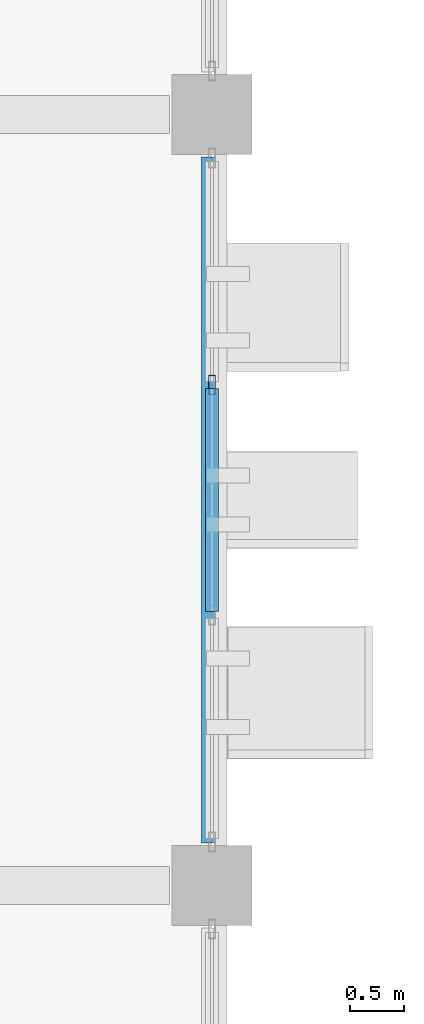
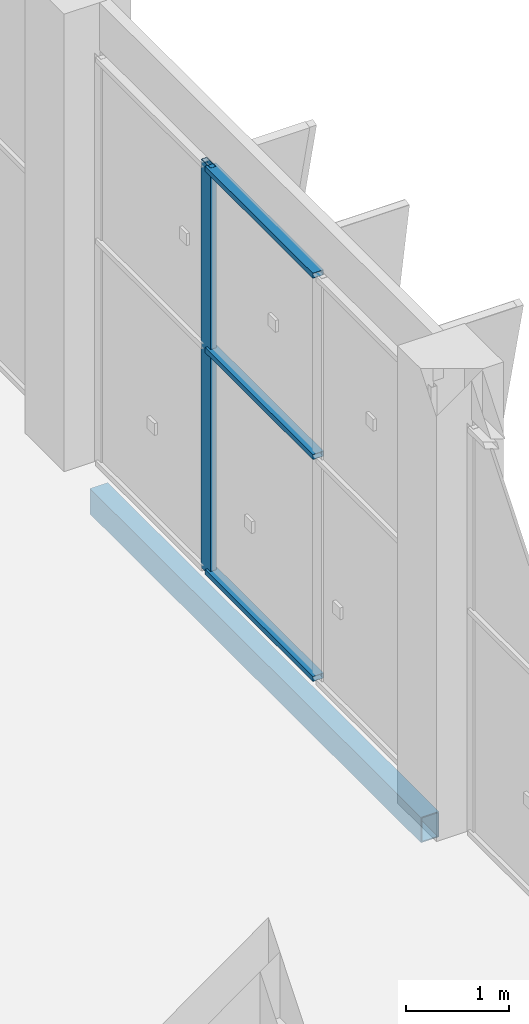
# One storey, part 58 of 189: 4 members, 1 beam, 1 element without a shape of its own.
"""IFC4 building model written with IfcOpenShell, lengths in metres."""

from ifc_helpers import new_model, si_unit, direction, frame, origin, origin_2d, place, context, subcontext, project, spatial, hollow_rectangle, extrude, material, layer, layer_set, material_profile, profile_set, type_object, element, aggregate, save


model = new_model("IFC4")

# Units and contexts
model_context = context("Model", 3, precision=1e-05, world=origin(), true_north=direction((0.0, 1.0)))
body_context = subcontext(model_context, "Body", "Model", "MODEL_VIEW")
ifc_project = project(units=[si_unit("LENGTHUNIT", "METRE"), si_unit("AREAUNIT", "SQUARE_METRE"), si_unit("VOLUMEUNIT", "CUBIC_METRE"), si_unit("PLANEANGLEUNIT", "RADIAN"), si_unit("MASSUNIT", "GRAM", prefix="KILO")], contexts=[model_context])

# Site, building, storey
site_placement = place(None, origin())
site = spatial("IfcSite", under=ifc_project, at=site_placement, CompositionType="ELEMENT")
building_placement = place(site_placement, origin())
building = spatial("IfcBuilding", under=site, at=building_placement, Name="Celestram Park Convention Centre", CompositionType="ELEMENT")
storey_placement = place(building_placement, frame((0.0, 0.0, 5.39990234375)))
storey = spatial("IfcBuildingStorey", under=building, at=storey_placement, Name="L01", CompositionType="ELEMENT", Elevation=5.39990234375)

# Curtain wall, members
ifc_material_1 = material(Name="Anodised Aluminium Alloy 6063-T6", Category="aluminium")
ifc_layer = layer(ifc_material_1, 0.179931640625)
ifc_layer_set = layer_set([ifc_layer], Name="Anodised Aluminium Alloy 6063-T6")
curtain_wall_type = type_object("IfcCurtainWallType", Name="ARC-CW-645X482", PredefinedType="NOTDEFINED", material=ifc_layer_set)
curtain_wall_placement = place(storey_placement, origin())
curtain_wall = element("IfcCurtainWall", 1, at=curtain_wall_placement, inside=storey, type_object=curtain_wall_type, Name="Unitised curtain wall CU-L01-094", PredefinedType="NOTDEFINED")
ifc_material_profile_1 = material_profile(ifc_material_1, hollow_rectangle(XDim=0.06494140625, YDim=0.179931640625, WallThickness=0.00390625, at=origin_2d()), Name="ALU65X180X4")
ifc_profile_set_1 = profile_set([ifc_material_profile_1], Name="Anodised Aluminium Alloy 6063-T6")
member_type_1 = type_object("IfcMemberType", Name="ARC-CWM-150", PredefinedType="MULLION", material=ifc_profile_set_1)
member_1_placement = place(storey_placement, frame((144.0, 62.275634765625, 0.0), z_axis=(0.0, 0.0, 1.0), x_axis=(1.0, 0.0, 0.0)))
member_1 = element("IfcMember", 2, at=member_1_placement, type_object=member_type_1, Name="CW-64X48 mullion 2", PredefinedType="MULLION", context=body_context, shape_type="SweptSolid", body=[
    extrude(hollow_rectangle(XDim=0.06494140625, YDim=0.179931640625, WallThickness=0.00390625, at=origin_2d()), origin(), (0.0, 0.0, 1.0), 4.820068359375),
])
ifc_material_profile_2 = material_profile(ifc_material_1, hollow_rectangle(XDim=0.1201171875, YDim=0.06005859375, WallThickness=0.0029296875, at=origin_2d()), Name="ALU120X60X3")
ifc_profile_set_2 = profile_set([ifc_material_profile_2], Name="Anodised Aluminium Alloy 6063-T6")
member_type_2 = type_object("IfcMemberType", Name="ARC-CWT-120", PredefinedType="USERDEFINED", material=ifc_profile_set_2)
member_2_placement = place(storey_placement, frame((144.0, 62.2431640625, 0.030029296875), z_axis=(0.0, -1.0, 0.0), x_axis=(1.0, 0.0, 0.0)))
member_2 = element("IfcMember", 3, at=member_2_placement, type_object=member_type_2, Name="CW-64X48 transom 2.1", ObjectType="TRANSOM", PredefinedType="USERDEFINED", context=body_context, shape_type="SweptSolid", body=[
    extrude(hollow_rectangle(XDim=0.1201171875, YDim=0.06005859375, WallThickness=0.0029296875, at=origin_2d()), origin(), (0.0, 0.0, 1.0), 2.08642578125),
])
member_3_placement = place(storey_placement, frame((144.0, 62.2431640625, 2.650146484375), z_axis=(0.0, -1.0, 0.0), x_axis=(1.0, 0.0, 0.0)))
member_3 = element("IfcMember", 4, at=member_3_placement, type_object=member_type_2, Name="CW-64X48 transom 2.2", ObjectType="TRANSOM", PredefinedType="USERDEFINED", context=body_context, shape_type="SweptSolid", body=[
    extrude(hollow_rectangle(XDim=0.1201171875, YDim=0.06005859375, WallThickness=0.0029296875, at=origin_2d()), origin(), (0.0, 0.0, 1.0), 2.08642578125),
])
member_4_placement = place(storey_placement, frame((144.0, 62.2431640625, 4.7900390625), z_axis=(0.0, -1.0, 0.0), x_axis=(1.0, 0.0, 0.0)))
member_4 = element("IfcMember", 5, at=member_4_placement, type_object=member_type_2, Name="CW-64X48 transom 2.3", ObjectType="TRANSOM", PredefinedType="USERDEFINED", context=body_context, shape_type="SweptSolid", body=[
    extrude(hollow_rectangle(XDim=0.1201171875, YDim=0.06005859375, WallThickness=0.0029296875, at=origin_2d()), origin(), (0.0, 0.0, 1.0), 2.08642578125),
])
aggregate(curtain_wall, [member_1, member_2, member_3, member_4])

# Beam
ifc_material_2 = material(Name="Steel ASTM A500 Grade C", Category="steel")
ifc_material_profile_3 = material_profile(ifc_material_2, hollow_rectangle(XDim=0.199951171875, YDim=0.300048828125, WallThickness=0.011962890625, at=origin_2d()), Name="HSS300X200X12")
ifc_profile_set_3 = profile_set([ifc_material_profile_3], Name="Steel ASTM A500 Grade C")
beam_type = type_object("IfcBeamType", Name="STR-SPN-HSS300X200", PredefinedType="SPANDREL", material=ifc_profile_set_3)
beam_placement = place(storey_placement, frame((144.0, 57.998046875, -0.429931640625), z_axis=(0.0, 1.0, 0.0), x_axis=(-1.0, 0.0, 0.0)))
element("IfcBeam", 6, at=beam_placement, inside=storey, type_object=beam_type, Name="Primary Y-girder BG-L01-0338", PredefinedType="SPANDREL", context=body_context, shape_type="SweptSolid", body=[
    extrude(hollow_rectangle(XDim=0.199951171875, YDim=0.300048828125, WallThickness=0.011962890625, at=origin_2d()), origin(), (0.0, 0.0, 1.0), 6.404052734375),
])

save(model, "model.ifc")
